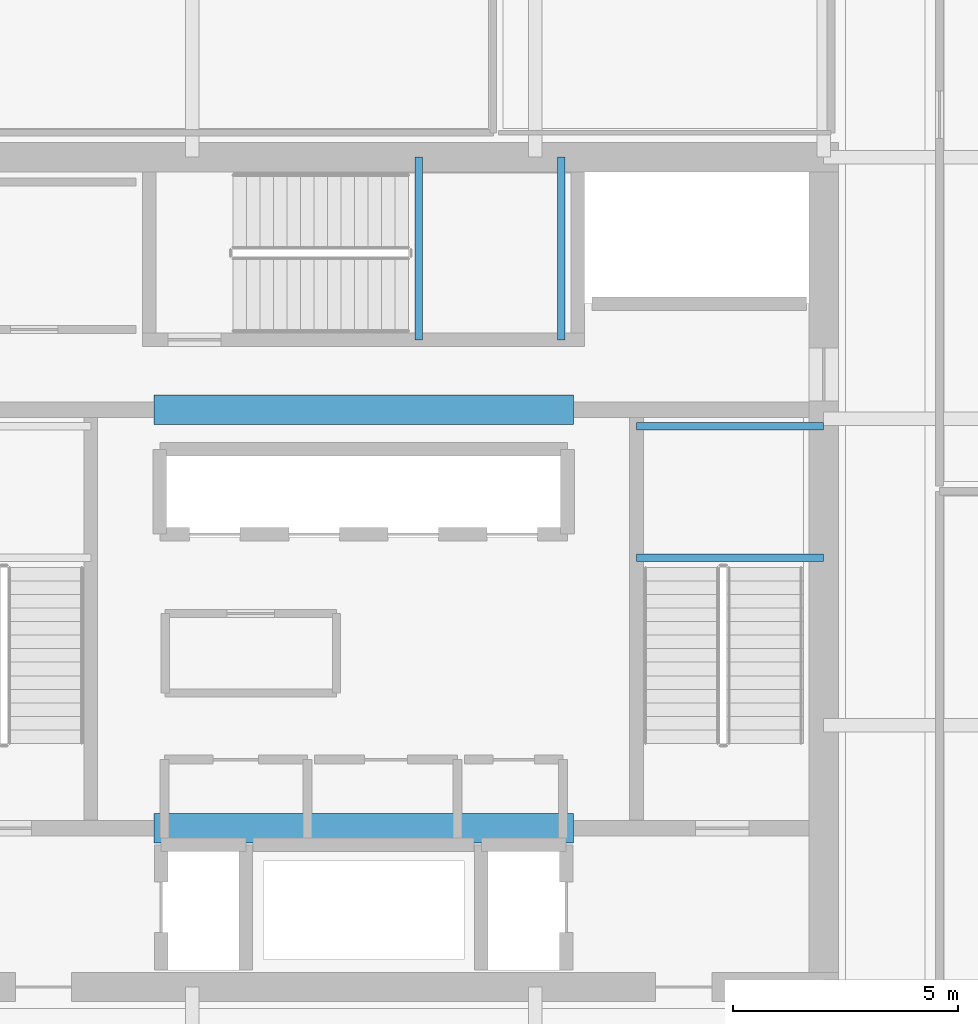
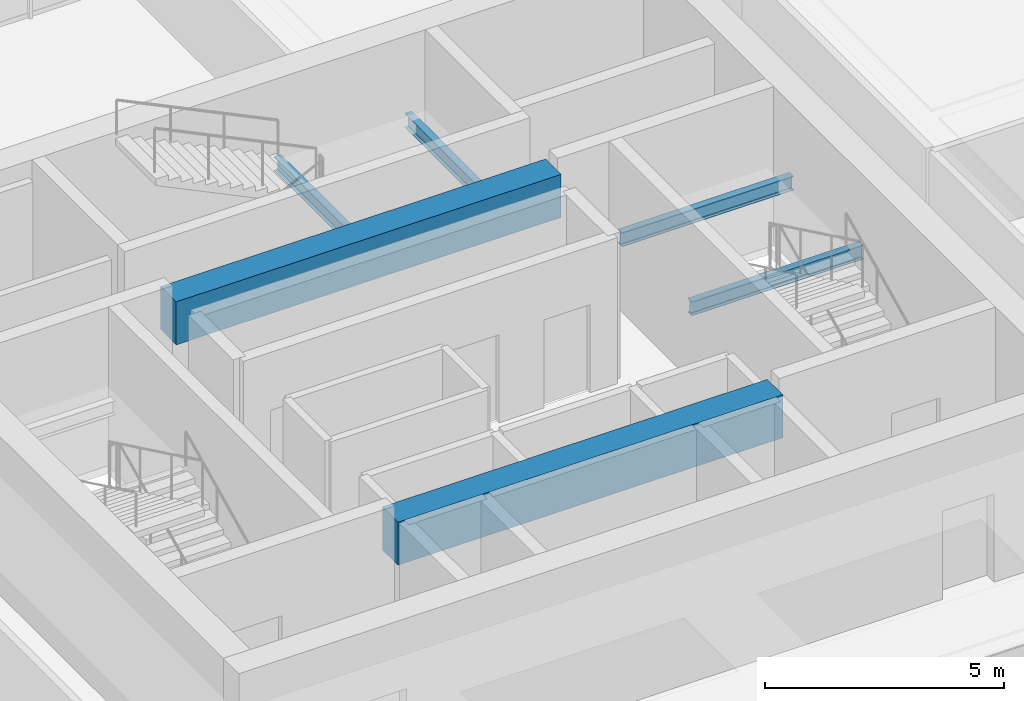
# One storey, part 13 of 35: 6 beams.
"""IFC4 building model written with IfcOpenShell, lengths in metres."""

from ifc_helpers import new_model, si_unit, direction, frame, origin, origin_2d, place, context, subcontext, project, spatial, rectangle, i_section, extrude, material, material_profile, profile_set, type_object, element, save


model = new_model("IFC4")

# Units and contexts
model_context = context("Model", 3, precision=1e-05, world=origin(), true_north=direction((0.0, 1.0)))
body_context = subcontext(model_context, "Body", "Model", "MODEL_VIEW")
ifc_project = project(units=[si_unit("LENGTHUNIT", "METRE"), si_unit("AREAUNIT", "SQUARE_METRE"), si_unit("VOLUMEUNIT", "CUBIC_METRE"), si_unit("PLANEANGLEUNIT", "RADIAN"), si_unit("MASSUNIT", "GRAM", prefix="KILO")], contexts=[model_context])

# Site, building, storey
site_placement = place(None, origin())
site = spatial("IfcSite", under=ifc_project, at=site_placement, CompositionType="ELEMENT")
building_placement = place(site_placement, origin())
building = spatial("IfcBuilding", under=site, at=building_placement, Name="Punatoya Terracotta Tower", CompositionType="ELEMENT")
storey_placement = place(building_placement, frame((0.0, 0.0, 232.949951171875)))
storey = spatial("IfcBuildingStorey", under=building, at=storey_placement, Name="L55", CompositionType="ELEMENT", Elevation=232.949951171875)

# Beams
ifc_material_1 = material(Name="Concrete C60/75", Category="concrete")
ifc_material_profile_1 = material_profile(ifc_material_1, rectangle(XDim=0.64990234375, YDim=1.10009765625, at=origin_2d()))
ifc_profile_set_1 = profile_set([ifc_material_profile_1], Name="Concrete C60/75")
beam_type_1 = type_object("IfcBeamType", Name="BM-RC-1100", PredefinedType="LINTEL", material=ifc_profile_set_1)
for number, where, z_axis, x_axis, name in (
    (1, (-4.64990234375, -5.679931640625, 3.179931640625), (1.0, 0.0, 0.0), (0.0, 1.0, 0.0), "L55 Core Coupling Lintel CSW"),
    (2, (-4.64990234375, 3.60009765625, 3.179931640625), (1.0, 0.0, 0.0), (0.0, 1.0, 0.0), "L55 Core Coupling Lintel CNW"),
):
    element("IfcBeam", number, at=place(storey_placement, frame(where, z_axis=z_axis, x_axis=x_axis)), inside=storey, type_object=beam_type_1, Name=name, PredefinedType="LINTEL", context=body_context, shape_type="SweptSolid", body=[
        extrude(rectangle(XDim=0.64990234375, YDim=1.10009765625, at=origin_2d()), origin(), (0.0, 0.0, 1.0), 9.2998046875),
    ])
ifc_material_2 = material(Name="Steel S355", Category="steel")
ifc_material_profile_2 = material_profile(ifc_material_2, i_section(OverallWidth=0.169921875, OverallDepth=0.360107421875, WebThickness=0.008056640625, FlangeThickness=0.0126953125, FilletRadius=0.01806640625, at=origin_2d()))
ifc_profile_set_2 = profile_set([ifc_material_profile_2], Name="Steel S355")
beam_type_2 = type_object("IfcBeamType", Name="BM-SEC-360", PredefinedType="JOIST", material=ifc_profile_set_2)
for number, where, z_axis, x_axis, name in (
    (3, (6.050048828125, 0.320068359375, 1.64501953125), (1.0, 0.0, 0.0), (0.0, 1.0, 0.0), "BM-L55-ST-2-LD1A"),
    (4, (6.050048828125, 3.22998046875, 1.64501953125), (1.0, 0.0, 0.0), (0.0, 1.0, 0.0), "BM-L55-ST-2-LD1B"),
):
    element("IfcBeam", number, at=place(storey_placement, frame(where, z_axis=z_axis, x_axis=x_axis)), inside=storey, type_object=beam_type_2, Name=name, PredefinedType="JOIST", context=body_context, shape_type="SweptSolid", body=[
        extrude(i_section(OverallWidth=0.169921875, OverallDepth=0.360107421875, WebThickness=0.008056640625, FlangeThickness=0.0126953125, FilletRadius=0.01806640625, at=origin_2d()), origin(), (0.0, 0.0, 1.0), 4.14990234375),
    ])
for number, where, z_axis, x_axis, name in (
    (5, (1.219970703125, 5.14990234375, 1.64501953125), (0.0, 1.0, 0.0), (-1.0, 0.0, 0.0), "BM-L55-ST-3-LD1A"),
    (6, (4.3798828125, 5.14990234375, 1.64501953125), (0.0, 1.0, 0.0), (-1.0, 0.0, 0.0), "BM-L55-ST-3-LD1B"),
):
    element("IfcBeam", number, at=place(storey_placement, frame(where, z_axis=z_axis, x_axis=x_axis)), inside=storey, type_object=beam_type_2, Name=name, PredefinedType="JOIST", context=body_context, shape_type="SweptSolid", body=[
        extrude(i_section(OverallWidth=0.169921875, OverallDepth=0.360107421875, WebThickness=0.008056640625, FlangeThickness=0.0126953125, FilletRadius=0.01806640625, at=origin_2d()), origin(), (0.0, 0.0, 1.0), 4.050048828125),
    ])

save(model, "model.ifc")
